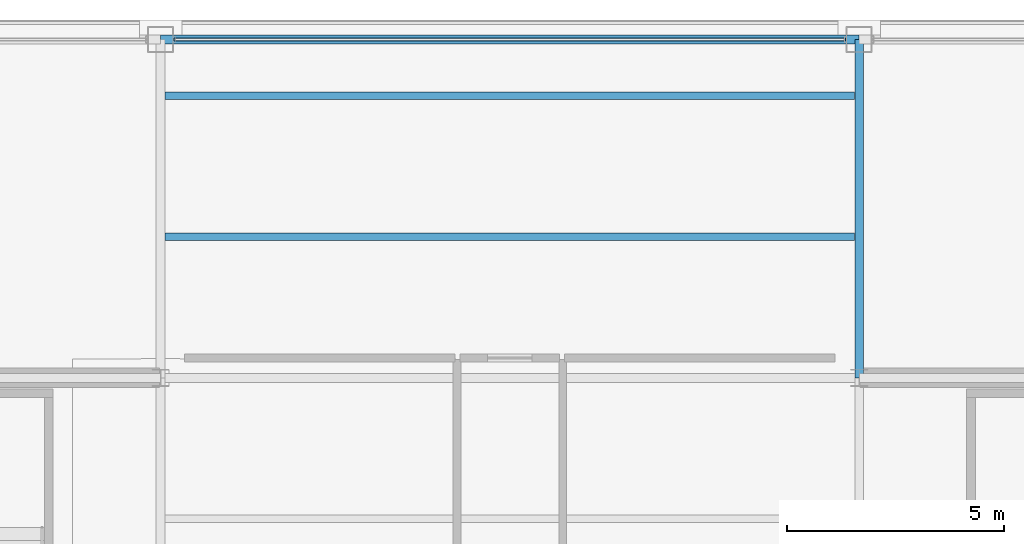
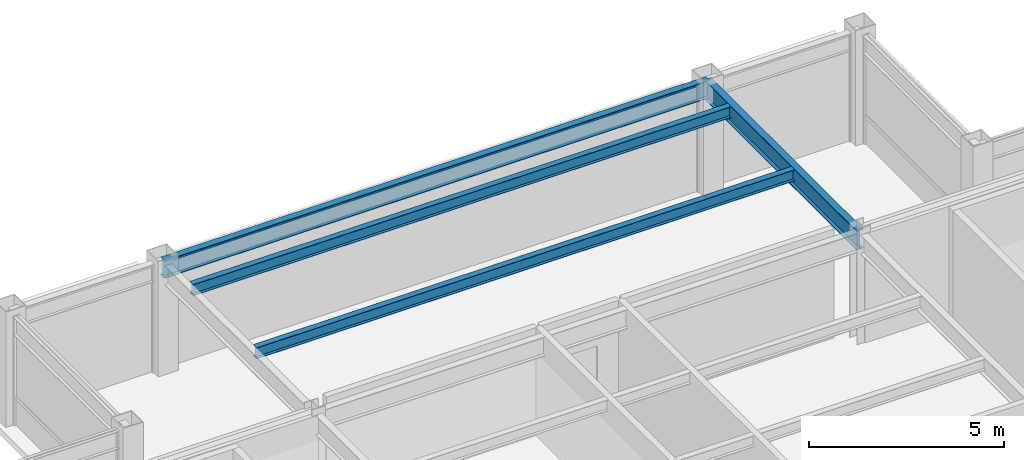
# One storey, part 19 of 27: 4 beams, 1 member, 1 element without a shape of its own.
"""IFC4 building model written with IfcOpenShell, lengths in metres."""

from ifc_helpers import new_model, si_unit, direction, frame, origin, origin_2d, place, context, subcontext, project, spatial, hollow_rectangle, i_section, extrude, material, layer, layer_set, material_profile, profile_set, type_object, element, aggregate, save


model = new_model("IFC4")

# Units and contexts
model_context = context("Model", 3, precision=1e-05, world=origin(), true_north=direction((0.0, 1.0)))
body_context = subcontext(model_context, "Body", "Model", "MODEL_VIEW")
ifc_project = project(units=[si_unit("LENGTHUNIT", "METRE"), si_unit("AREAUNIT", "SQUARE_METRE"), si_unit("VOLUMEUNIT", "CUBIC_METRE"), si_unit("PLANEANGLEUNIT", "RADIAN"), si_unit("MASSUNIT", "GRAM", prefix="KILO")], contexts=[model_context])

# Site, building, storey
site_placement = place(None, origin())
site = spatial("IfcSite", under=ifc_project, at=site_placement, CompositionType="ELEMENT")
building_placement = place(site_placement, origin())
building = spatial("IfcBuilding", under=site, at=building_placement, Name="Brelmoor Portico Tower", CompositionType="ELEMENT")
storey_placement = place(building_placement, frame((0.0, 0.0, 250.800048828125)))
storey = spatial("IfcBuildingStorey", under=building, at=storey_placement, Name="L66", CompositionType="ELEMENT", Elevation=250.800048828125)

# Beams
ifc_material_1 = material(Name="Steel Q355B", Category="steel")
ifc_material_profile_1 = material_profile(ifc_material_1, i_section(OverallWidth=0.175048828125, OverallDepth=0.35009765625, WebThickness=0.007080078125, FlangeThickness=0.010986328125, at=origin_2d()), Name="HN 350x175x7x11")
ifc_profile_set_1 = profile_set([ifc_material_profile_1], Name="Steel Q355B")
beam_type_1 = type_object("IfcBeamType", Name="BM-JS-350", PredefinedType="JOIST", material=ifc_profile_set_1)
for number, where, z_axis, x_axis, name in (
    (1, (-7.949951171875, 13.0, 3.224853515625), (1.0, 0.0, 0.0), (0.0, 1.0, 0.0), "L66 Secondary Composite Joist JS-C05"),
    (2, (-7.949951171875, 16.25, 3.224853515625), (1.0, 0.0, 0.0), (0.0, 1.0, 0.0), "L66 Secondary Composite Joist JS-C06"),
):
    element("IfcBeam", number, at=place(storey_placement, frame(where, z_axis=z_axis, x_axis=x_axis)), inside=storey, type_object=beam_type_1, Name=name, PredefinedType="JOIST", context=body_context, shape_type="SweptSolid", body=[
        extrude(i_section(OverallWidth=0.175048828125, OverallDepth=0.35009765625, WebThickness=0.007080078125, FlangeThickness=0.010986328125, at=origin_2d()), origin(), (0.0, 0.0, 1.0), 15.89990234375),
    ])
ifc_material_profile_2 = material_profile(ifc_material_1, i_section(OverallWidth=0.199951171875, OverallDepth=0.60009765625, WebThickness=0.010986328125, FlangeThickness=0.01708984375, at=origin_2d()), Name="HN 600x200x11x17")
ifc_profile_set_2 = profile_set([ifc_material_profile_2], Name="Steel Q355B")
beam_type_2 = type_object("IfcBeamType", Name="BM-PG-600", PredefinedType="BEAM", material=ifc_profile_set_2)
beam_1_placement = place(storey_placement, frame((8.050048828125, 9.75, 3.099853515625), z_axis=(0.0, 1.0, 0.0), x_axis=(-1.0, 0.0, 0.0)))
element("IfcBeam", 3, at=beam_1_placement, inside=storey, type_object=beam_type_2, Name="L66 Primary Floor Girder PG-08", PredefinedType="BEAM", context=body_context, shape_type="SweptSolid", body=[
    extrude(i_section(OverallWidth=0.199951171875, OverallDepth=0.60009765625, WebThickness=0.010986328125, FlangeThickness=0.01708984375, at=origin_2d()), origin(), (0.0, 0.0, 1.0), 7.800048828125),
])
ifc_material_profile_3 = material_profile(ifc_material_1, i_section(OverallWidth=0.199951171875, OverallDepth=0.550048828125, WebThickness=0.010009765625, FlangeThickness=0.01611328125, at=origin_2d()), Name="HN 550x200x10x16")
ifc_profile_set_3 = profile_set([ifc_material_profile_3], Name="Steel Q355B")
beam_type_3 = type_object("IfcBeamType", Name="BM-SP-550", PredefinedType="SPANDREL", material=ifc_profile_set_3)
beam_2_placement = place(storey_placement, frame((-8.050048828125, 17.550048828125, 3.125), z_axis=(1.0, 0.0, 0.0), x_axis=(0.0, 1.0, 0.0)))
element("IfcBeam", 4, at=beam_2_placement, inside=storey, type_object=beam_type_3, Name="L66 Perimeter Spandrel Beam SP-09", PredefinedType="SPANDREL", context=body_context, shape_type="SweptSolid", body=[
    extrude(i_section(OverallWidth=0.199951171875, OverallDepth=0.550048828125, WebThickness=0.010009765625, FlangeThickness=0.01611328125, at=origin_2d()), origin(), (0.0, 0.0, 1.0), 16.10009765625),
])

# Curtain wall, member
ifc_material_2 = material(Name="Anodised Aluminium Alloy 6063-T6", Category="aluminium")
ifc_layer = layer(ifc_material_2, 0.179931640625)
ifc_layer_set = layer_set([ifc_layer], Name="Anodised Aluminium Alloy 6063-T6")
curtain_wall_type = type_object("IfcCurtainWallType", Name="CW-TOWER-Z4-XB", PredefinedType="NOTDEFINED", material=ifc_layer_set)
curtain_wall_placement = place(storey_placement, origin())
curtain_wall = element("IfcCurtainWall", 5, at=curtain_wall_placement, inside=storey, type_object=curtain_wall_type, Name="L66 Curtain Wall CW-L66-02-2", PredefinedType="NOTDEFINED")
ifc_material_profile_4 = material_profile(ifc_material_2, hollow_rectangle(XDim=0.06005859375, YDim=0.125, WallThickness=0.00341796875, at=origin_2d()), Name="ALU TRANSOM 60x125")
ifc_profile_set_4 = profile_set([ifc_material_profile_4], Name="Anodised Aluminium Alloy 6063-T6")
member_type = type_object("IfcMemberType", Name="MB-CW-TRAN-125", PredefinedType="USERDEFINED", material=ifc_profile_set_4)
member_placement = place(storey_placement, frame((-7.739990234375, 17.550048828125, 3.33740234375), z_axis=(1.0, 0.0, 0.0), x_axis=(0.0, 1.0, 0.0)))
member = element("IfcMember", 6, at=member_placement, type_object=member_type, Name="CW-L66-02-2 Transom 1-00", ObjectType="TRANSOM", PredefinedType="USERDEFINED", context=body_context, shape_type="SweptSolid", body=[
    extrude(hollow_rectangle(XDim=0.06005859375, YDim=0.125, WallThickness=0.00341796875, at=origin_2d()), origin(), (0.0, 0.0, 1.0), 15.47998046875),
])
aggregate(curtain_wall, [member])

save(model, "model.ifc")
